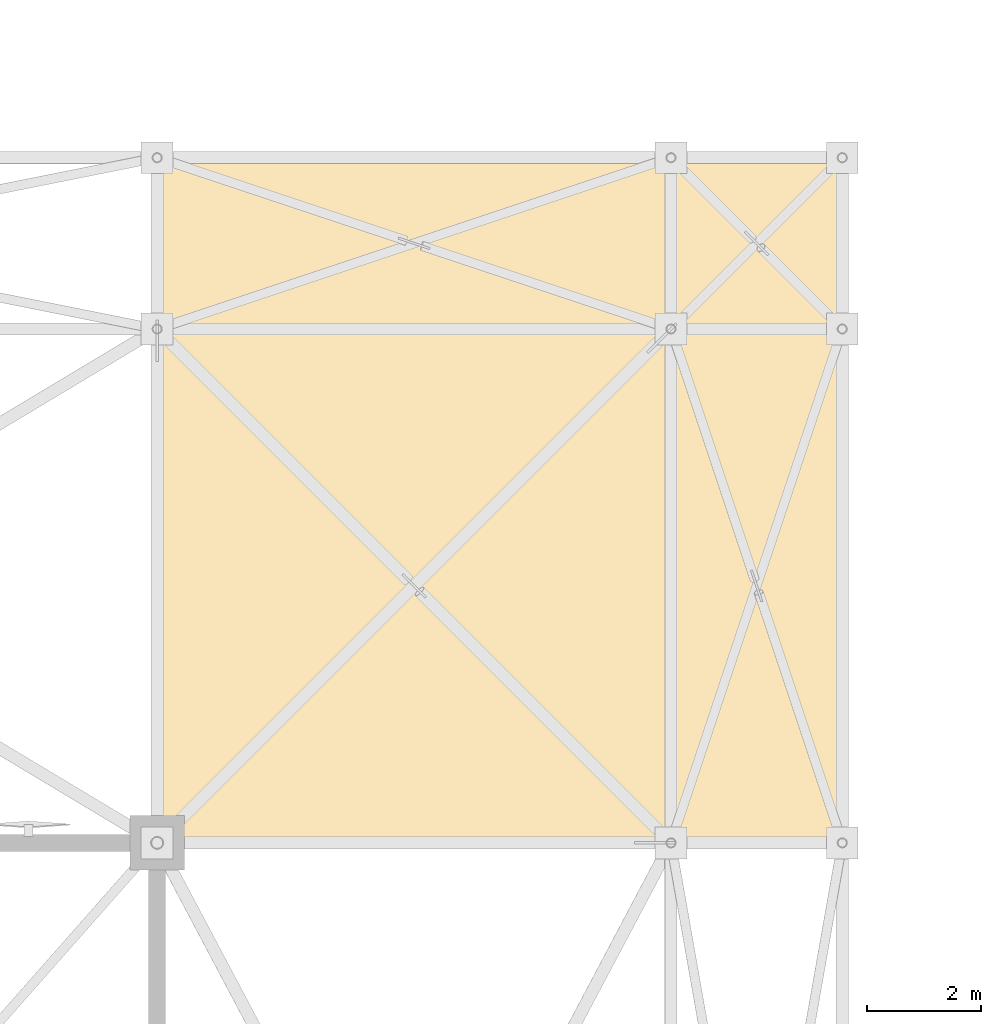
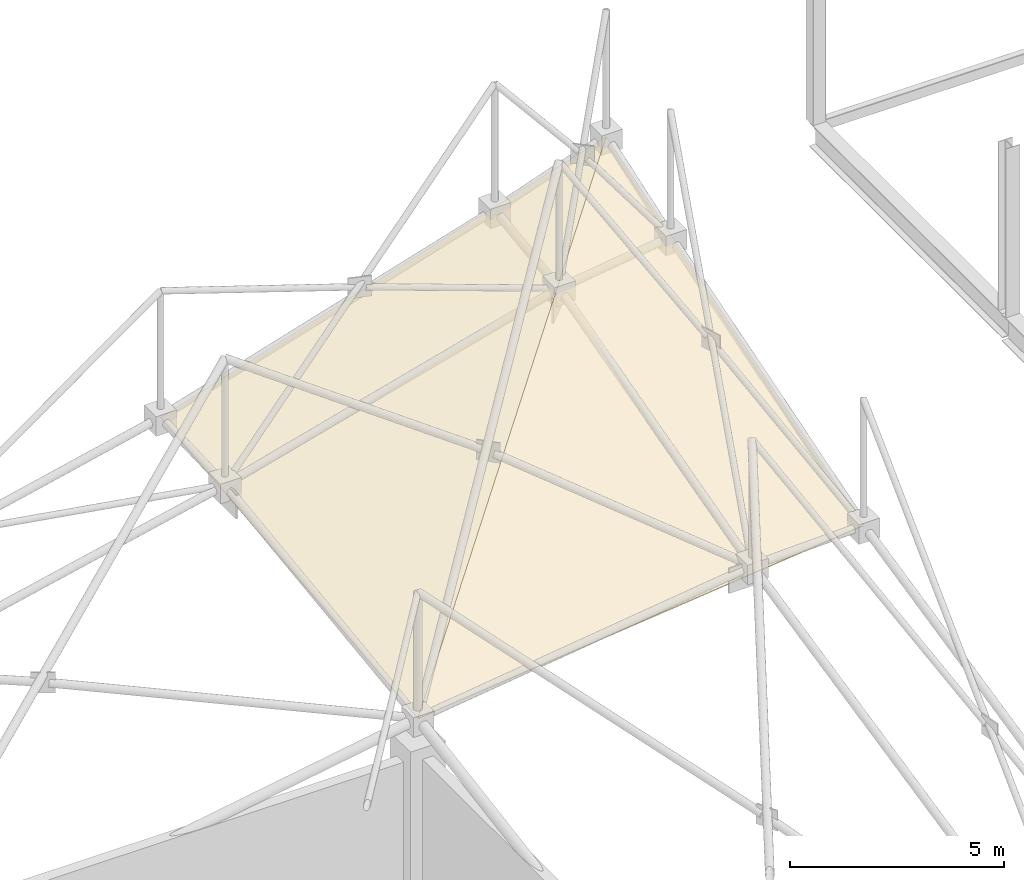
# One storey, part 223 of 224: 2 coverings.
"""IFC4 building model written with IfcOpenShell, lengths in metres."""

from ifc_helpers import new_model, si_unit, direction, frame, origin, place, context, subcontext, project, spatial, polyline, outline, extrude, material, layer, layer_set, type_object, element, save


model = new_model("IFC4")

# Units and contexts
model_context = context("Model", 3, precision=1e-05, world=origin(), true_north=direction((0.0, 1.0)))
body_context = subcontext(model_context, "Body", "Model", "MODEL_VIEW")
ifc_project = project(units=[si_unit("LENGTHUNIT", "METRE"), si_unit("AREAUNIT", "SQUARE_METRE"), si_unit("VOLUMEUNIT", "CUBIC_METRE"), si_unit("PLANEANGLEUNIT", "RADIAN"), si_unit("MASSUNIT", "GRAM", prefix="KILO")], contexts=[model_context])

# Site, building, storey
site_placement = place(None, origin())
site = spatial("IfcSite", under=ifc_project, at=site_placement, CompositionType="ELEMENT")
building_placement = place(site_placement, origin())
building = spatial("IfcBuilding", under=site, at=building_placement, Name="Qamarlyn Nura Convention Centre", CompositionType="ELEMENT")
storey_placement = place(building_placement, frame((0.0, 0.0, 10.800048828125)))
storey = spatial("IfcBuildingStorey", under=building, at=storey_placement, Name="L02", CompositionType="ELEMENT", Elevation=10.800048828125)

# Coverings
ifc_material = material(Name="High-albedo acoustic aluminium soffit", Category="aluminium")
ifc_layer = layer(ifc_material, 0.034912109375, Name="COV-SOFFIT-ALU")
ifc_layer_set = layer_set([ifc_layer], Name="High-albedo acoustic aluminium soffit")
covering_type = type_object("IfcCoveringType", Name="COV-SOFFIT-ALU", PredefinedType="CEILING", material=ifc_layer_set)
covering_1_placement = place(storey_placement, frame((120.0, 103.0, 5.314208984375), z_axis=(-0.10221979006, -0.29977009983, 0.948519373428), x_axis=(0.994243153282, 0.0, 0.10714733852)))
element("IfcCovering", 1, at=covering_1_placement, inside=storey, type_object=covering_type, Name="Exhibition swept corner soffit panel 120-103A", PredefinedType="CEILING", context=body_context, shape_type="SweptSolid", body=[
    extrude(outline(polyline([(0.0, 0.0), (12.0694821587539, 0.0), (12.475836347369512, 12.578465104266293), (0.0, 0.0)])), origin(), (0.0, 0.0, -1.0), 0.034912109375),
])
covering_2_placement = place(storey_placement, frame((120.0, 103.0, 5.314208984375), z_axis=(-0.29977009983, -0.10221979006, 0.948519373428), x_axis=(0.677345580999, 0.677345580999, 0.287064326941)))
element("IfcCovering", 2, at=covering_2_placement, inside=storey, type_object=covering_type, Name="Exhibition swept corner soffit panel 120-103B", PredefinedType="CEILING", context=body_context, shape_type="SweptSolid", body=[
    extrude(outline(polyline([(0.0, 0.0), (17.716215085214756, -7.771561172376096e-16), (8.499382260027714, 8.56929990013215), (0.0, 0.0)])), origin(), (0.0, 0.0, -1.0), 0.034912109375),
])

save(model, "model.ifc")
